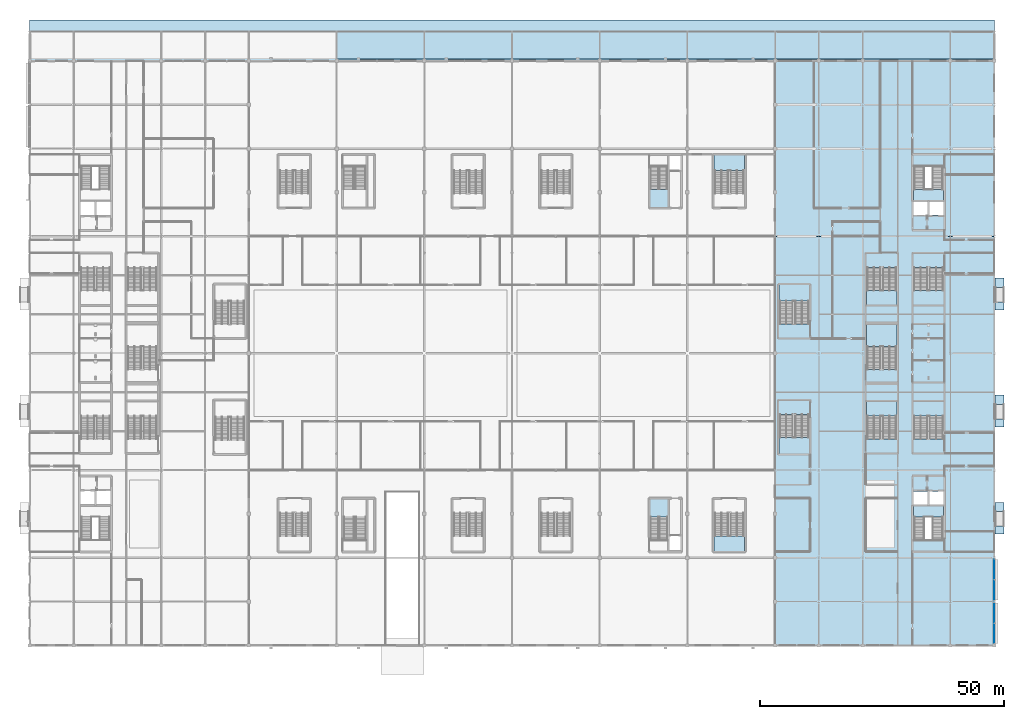
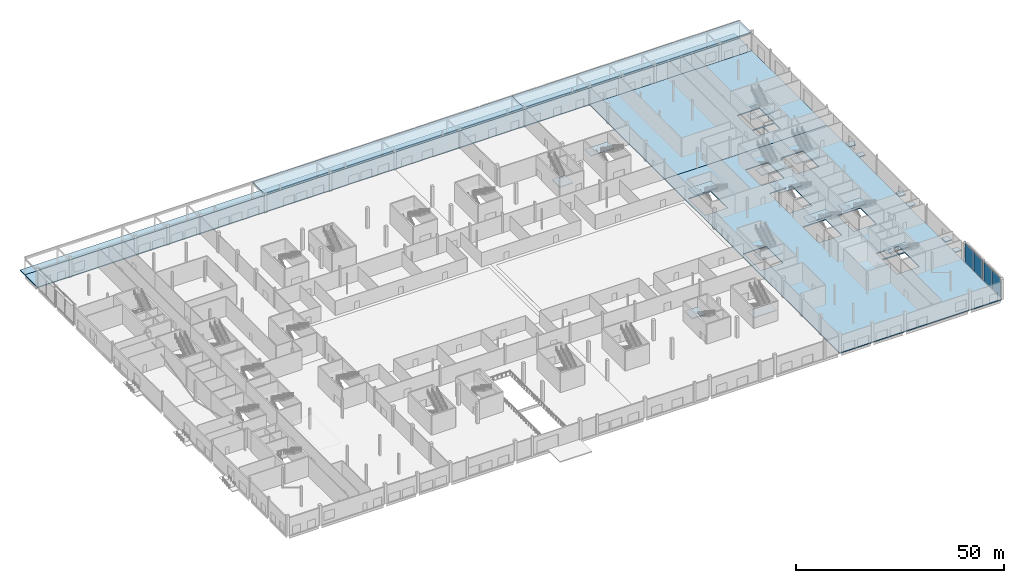
# One storey, part 28 of 84: 25 slabs, 4 plates, 18 elements without a shape of their own.
"""IFC4 building model written with IfcOpenShell, lengths in metres."""

from ifc_helpers import new_model, si_unit, direction, frame, origin, origin_2d, place, context, subcontext, project, spatial, polyline, rectangle, outline, extrude, material, layer, layer_set, type_object, element, aggregate, save


model = new_model("IFC4")

# Units and contexts
model_context = context("Model", 3, precision=1e-05, world=origin(), true_north=direction((0.0, 1.0)))
body_context = subcontext(model_context, "Body", "Model", "MODEL_VIEW")
ifc_project = project(units=[si_unit("LENGTHUNIT", "METRE"), si_unit("AREAUNIT", "SQUARE_METRE"), si_unit("VOLUMEUNIT", "CUBIC_METRE"), si_unit("PLANEANGLEUNIT", "RADIAN"), si_unit("MASSUNIT", "GRAM", prefix="KILO")], contexts=[model_context])

# Site, building, storey
site_placement = place(None, origin())
site = spatial("IfcSite", under=ifc_project, at=site_placement, CompositionType="ELEMENT")
building_placement = place(site_placement, origin())
building = spatial("IfcBuilding", under=site, at=building_placement, Name="Kisiwana Market Hall", CompositionType="ELEMENT")
storey_placement = place(building_placement, origin())
storey = spatial("IfcBuildingStorey", under=building, at=storey_placement, Name="L00", CompositionType="ELEMENT", Elevation=0.0)

# Curtain wall, plates
ifc_material_1 = material(Name="Double-glazed solar-control low-E IGU", Category="glass")
ifc_layer_1 = layer(ifc_material_1, 0.159912109375)
ifc_layer_set_1 = layer_set([ifc_layer_1], Name="CW-FOY-W-6800")
curtain_wall_type = type_object("IfcCurtainWallType", Name="CW-FOY-W-6800", PredefinedType="USERDEFINED", material=ifc_layer_set_1)
curtain_wall_1_placement = place(storey_placement, origin())
curtain_wall_1 = element("IfcCurtainWall", 1, at=curtain_wall_1_placement, inside=storey, type_object=curtain_wall_type, Name="Unitised curtain wall CW-003 (L00)", ObjectType="UNITISED CURTAIN WALL", PredefinedType="USERDEFINED")
ifc_material_2 = material(Name="Double-glazed solar-control low-E IGU", Category="glass")
ifc_layer_2 = layer(ifc_material_2, 0.02392578125)
ifc_layer_set_2 = layer_set([ifc_layer_2], Name="PL-IGU-24")
plate_type_1 = type_object("IfcPlateType", Name="PL-IGU-24", PredefinedType="CURTAIN_PANEL", material=ifc_layer_set_2)
plate_1_placement = place(storey_placement, frame((198.0, 2.476806640625, 0.06005859375), z_axis=(0.0, 0.0, 1.0), x_axis=(0.0, 1.0, 0.0)))
plate_1 = element("IfcPlate", 2, at=plate_1_placement, type_object=plate_type_1, Name="CW-003 panel 1.1", PredefinedType="CURTAIN_PANEL", context=body_context, shape_type="SweptSolid", body=[
    extrude(rectangle(XDim=4.13330078125, YDim=0.02392578125, at=origin_2d()), origin(), (0.0, 0.0, 1.0), 5.6298828125),
])
plate_2_placement = place(storey_placement, frame((198.0, 6.670166015625, 0.06005859375), z_axis=(0.0, 0.0, 1.0), x_axis=(0.0, 1.0, 0.0)))
plate_2 = element("IfcPlate", 3, at=plate_2_placement, type_object=plate_type_1, Name="CW-003 panel 2.1", PredefinedType="CURTAIN_PANEL", context=body_context, shape_type="SweptSolid", body=[
    extrude(rectangle(XDim=4.13330078125, YDim=0.02392578125, at=origin_2d()), origin(), (0.0, 0.0, 1.0), 5.6298828125),
])
aggregate(curtain_wall_1, [plate_1, plate_2])

curtain_wall_2_placement = place(storey_placement, origin())
curtain_wall_2 = element("IfcCurtainWall", 4, at=curtain_wall_2_placement, inside=storey, type_object=curtain_wall_type, Name="Unitised curtain wall CW-004 (L00)", ObjectType="UNITISED CURTAIN WALL", PredefinedType="USERDEFINED")
ifc_material_3 = material(Name="Double-glazed acoustic laminated IGU", Category="glass")
ifc_layer_3 = layer(ifc_material_3, 0.028076171875)
ifc_layer_set_3 = layer_set([ifc_layer_3], Name="PL-IGU-28")
plate_type_2 = type_object("IfcPlateType", Name="PL-IGU-28", PredefinedType="CURTAIN_PANEL", material=ifc_layer_set_3)
plate_3_placement = place(storey_placement, frame((198.0, 11.363037109375, 0.06005859375), z_axis=(0.0, 0.0, 1.0), x_axis=(0.0, 1.0, 0.0)))
plate_3 = element("IfcPlate", 5, at=plate_3_placement, type_object=plate_type_2, Name="CW-004 panel 1.1", PredefinedType="CURTAIN_PANEL", context=body_context, shape_type="SweptSolid", body=[
    extrude(rectangle(XDim=4.19970703125, YDim=0.028076171875, at=origin_2d()), origin(), (0.0, 0.0, 1.0), 5.6298828125),
])
plate_4_placement = place(storey_placement, frame((198.0, 15.62255859375, 0.06005859375), z_axis=(0.0, 0.0, 1.0), x_axis=(0.0, 1.0, 0.0)))
plate_4 = element("IfcPlate", 6, at=plate_4_placement, type_object=plate_type_2, Name="CW-004 panel 2.1", PredefinedType="CURTAIN_PANEL", context=body_context, shape_type="SweptSolid", body=[
    extrude(rectangle(XDim=4.19970703125, YDim=0.028076171875, at=origin_2d()), origin(), (0.0, 0.0, 1.0), 5.6298828125),
])
aggregate(curtain_wall_2, [plate_3, plate_4])

# Slabs
ifc_material_4 = material(Name="Concrete C32/40", Category="concrete")
ifc_layer_4 = layer(ifc_material_4, 0.260009765625)
ifc_layer_set_4 = layer_set([ifc_layer_4], Name="SL-L00-MKT-260")
slab_type_1 = type_object("IfcSlabType", Name="SL-L00-MKT-260", PredefinedType="FLOOR", material=ifc_layer_set_4)
slab_1_placement = place(storey_placement, frame((0.0, 0.0, -0.260009765625)))
element("IfcSlab", 7, at=slab_1_placement, inside=storey, type_object=slab_type_1, Name="Structural slab S-058", PredefinedType="FLOOR", context=body_context, shape_type="SweptSolid", body=[
    extrude(outline(polyline([(153.0, 0.0), (198.0, 0.0), (198.0, 84.0), (153.0, 84.0), (153.0, 0.0)]), holes=[polyline([(181.39990234375, 21.64990234375), (187.60009765625, 21.64990234375), (187.60009765625, 28.60009765625), (181.39990234375, 28.60009765625), (181.39990234375, 21.64990234375)]), polyline([(181.39990234375, 28.919921875), (184.340087890625, 28.919921875), (184.340087890625, 31.64990234375), (181.39990234375, 31.64990234375), (181.39990234375, 28.919921875)]), polyline([(184.659912109375, 28.919921875), (187.60009765625, 28.919921875), (187.60009765625, 31.64990234375), (184.659912109375, 31.64990234375), (184.659912109375, 28.919921875)]), polyline([(181.360107421875, 42.3798828125), (187.639892578125, 42.3798828125), (187.639892578125, 50.0400390625), (181.360107421875, 50.0400390625), (181.360107421875, 42.3798828125)]), polyline([(181.360107421875, 69.9599609375), (187.639892578125, 69.9599609375), (187.639892578125, 77.6201171875), (181.360107421875, 77.6201171875), (181.360107421875, 69.9599609375)]), polyline([(171.760009765625, 42.3798828125), (178.0400390625, 42.3798828125), (178.0400390625, 50.0400390625), (171.760009765625, 50.0400390625), (171.760009765625, 42.3798828125)]), polyline([(171.760009765625, 69.9599609375), (178.0400390625, 69.9599609375), (178.0400390625, 77.6201171875), (171.760009765625, 77.6201171875), (171.760009765625, 69.9599609375)]), polyline([(153.7900390625, 39.360107421875), (160.070068359375, 39.360107421875), (160.070068359375, 47.419921875), (153.7900390625, 47.419921875), (153.7900390625, 39.360107421875)]), polyline([(153.7900390625, 65.97998046875), (160.070068359375, 65.97998046875), (160.070068359375, 74.0400390625), (153.7900390625, 74.0400390625), (153.7900390625, 65.97998046875)]), polyline([(171.760009765625, 56.659912109375), (178.0400390625, 56.659912109375), (178.0400390625, 66.159912109375), (171.760009765625, 66.159912109375), (171.760009765625, 56.659912109375)])]), origin(), (0.0, 0.0, 1.0), 0.260009765625),
])
ifc_material_5 = material(Name="Concrete C32/40", Category="concrete")
ifc_layer_5 = layer(ifc_material_5, 0.300048828125)
ifc_layer_set_5 = layer_set([ifc_layer_5], Name="SL-L00-SYD-300")
slab_type_2 = type_object("IfcSlabType", Name="SL-L00-SYD-300", PredefinedType="FLOOR", material=ifc_layer_set_5)
slab_2_placement = place(storey_placement, frame((0.0, 0.0, -0.300048828125)))
element("IfcSlab", 8, at=slab_2_placement, inside=storey, type_object=slab_type_2, Name="Structural slab S-059", PredefinedType="FLOOR", context=body_context, shape_type="SweptSolid", body=[
    extrude(outline(polyline([(153.0, 84.0), (198.0, 84.0), (198.0, 120.0), (153.0, 120.0), (153.0, 84.0)]), holes=[polyline([(181.39990234375, 91.39990234375), (187.60009765625, 91.39990234375), (187.60009765625, 98.35009765625), (181.39990234375, 98.35009765625), (181.39990234375, 91.39990234375)]), polyline([(181.39990234375, 88.35009765625), (184.340087890625, 88.35009765625), (184.340087890625, 91.080078125), (181.39990234375, 91.080078125), (181.39990234375, 88.35009765625)]), polyline([(184.659912109375, 88.35009765625), (187.60009765625, 88.35009765625), (187.60009765625, 91.080078125), (184.659912109375, 91.080078125), (184.659912109375, 88.35009765625)])]), origin(), (0.0, 0.0, 1.0), 0.300048828125),
])
slab_3_placement = place(storey_placement, frame((0.0, 0.0, -0.300048828125)))
element("IfcSlab", 9, at=slab_3_placement, inside=storey, type_object=slab_type_2, Name="North Avenue Colonnade Street Sidewalk Apron S-052", PredefinedType="BASESLAB", context=body_context, shape_type="SweptSolid", body=[
    extrude(outline(polyline([(0.0, 126.0), (198.0, 126.0), (198.0, 128.39990234375), (0.0, 128.39990234375), (0.0, 126.0)])), origin(), (0.0, 0.0, 1.0), 0.300048828125),
])

# Ramp, slabs
ifc_material_6 = material(Name="Concrete C32/40", Category="concrete")
ramp_type = type_object("IfcRampType", Name="RMP-PED-12", PredefinedType="STRAIGHT_RUN_RAMP", material=ifc_material_6)
ramp_1_placement = place(storey_placement, origin())
ramp_1 = element("IfcRamp", 10, at=ramp_1_placement, inside=storey, type_object=ramp_type, Name="East Foyer South Ramp", PredefinedType="STRAIGHT_RUN_RAMP")
ifc_material_7 = material(Name="Concrete C32/40", Category="concrete")
ifc_layer_6 = layer(ifc_material_7, 0.239990234375)
ifc_layer_set_6 = layer_set([ifc_layer_6], Name="SL-LANDING-160")
slab_type_3 = type_object("IfcSlabType", Name="SL-LANDING-160", PredefinedType="LANDING", material=ifc_layer_set_6)
slab_4_placement = place(storey_placement, frame((0.0, 0.0, -0.5)))
slab_4 = element("IfcSlab", 11, at=slab_4_placement, type_object=slab_type_3, Name="East Foyer South Ramp lower landing S-040", PredefinedType="LANDING", context=body_context, shape_type="SweptSolid", body=[
    extrude(outline(polyline([(198.199951171875, 22.89990234375), (200.0, 22.89990234375), (200.0, 24.5), (198.199951171875, 24.5), (198.199951171875, 22.89990234375)])), origin(), (0.0, 0.0, 1.0), 0.25),
])
slab_5_placement = place(storey_placement, frame((0.0, 0.0, -0.25)))
slab_5 = element("IfcSlab", 12, at=slab_5_placement, type_object=slab_type_3, Name="East Foyer South Ramp upper landing S-041", PredefinedType="LANDING", context=body_context, shape_type="SweptSolid", body=[
    extrude(outline(polyline([(198.199951171875, 27.5), (200.0, 27.5), (200.0, 29.39990234375), (198.199951171875, 29.39990234375), (198.199951171875, 27.5)])), origin(), (0.0, 0.0, 1.0), 0.25),
])
aggregate(ramp_1, [slab_4, slab_5])

ramp_2_placement = place(storey_placement, origin())
ramp_2 = element("IfcRamp", 13, at=ramp_2_placement, inside=storey, type_object=ramp_type, Name="East Foyer Central Ramp", PredefinedType="STRAIGHT_RUN_RAMP")
slab_6_placement = place(storey_placement, frame((0.0, 0.0, -0.5)))
slab_6 = element("IfcSlab", 14, at=slab_6_placement, type_object=slab_type_3, Name="East Foyer Central Ramp lower landing S-042", PredefinedType="LANDING", context=body_context, shape_type="SweptSolid", body=[
    extrude(outline(polyline([(198.199951171875, 44.89990234375), (200.0, 44.89990234375), (200.0, 46.5), (198.199951171875, 46.5), (198.199951171875, 44.89990234375)])), origin(), (0.0, 0.0, 1.0), 0.25),
])
slab_7_placement = place(storey_placement, frame((0.0, 0.0, -0.25)))
slab_7 = element("IfcSlab", 15, at=slab_7_placement, type_object=slab_type_3, Name="East Foyer Central Ramp upper landing S-043", PredefinedType="LANDING", context=body_context, shape_type="SweptSolid", body=[
    extrude(outline(polyline([(198.199951171875, 49.5), (200.0, 49.5), (200.0, 51.39990234375), (198.199951171875, 51.39990234375), (198.199951171875, 49.5)])), origin(), (0.0, 0.0, 1.0), 0.25),
])
aggregate(ramp_2, [slab_6, slab_7])

ramp_3_placement = place(storey_placement, origin())
ramp_3 = element("IfcRamp", 16, at=ramp_3_placement, inside=storey, type_object=ramp_type, Name="East Foyer North Ramp", PredefinedType="STRAIGHT_RUN_RAMP")
slab_8_placement = place(storey_placement, frame((0.0, 0.0, -0.5)))
slab_8 = element("IfcSlab", 17, at=slab_8_placement, type_object=slab_type_3, Name="East Foyer North Ramp lower landing S-044", PredefinedType="LANDING", context=body_context, shape_type="SweptSolid", body=[
    extrude(outline(polyline([(198.199951171875, 68.89990234375), (200.0, 68.89990234375), (200.0, 70.5), (198.199951171875, 70.5), (198.199951171875, 68.89990234375)])), origin(), (0.0, 0.0, 1.0), 0.25),
])
slab_9_placement = place(storey_placement, frame((0.0, 0.0, -0.25)))
slab_9 = element("IfcSlab", 18, at=slab_9_placement, type_object=slab_type_3, Name="East Foyer North Ramp upper landing S-045", PredefinedType="LANDING", context=body_context, shape_type="SweptSolid", body=[
    extrude(outline(polyline([(198.199951171875, 73.5), (200.0, 73.5), (200.0, 75.39990234375), (198.199951171875, 75.39990234375), (198.199951171875, 73.5)])), origin(), (0.0, 0.0, 1.0), 0.25),
])
aggregate(ramp_3, [slab_8, slab_9])

# Stair, slab
ifc_material_8 = material(Name="Concrete C32/40", Category="concrete")
stair_type_1 = type_object("IfcStairType", Name="ST-POD-6000", PredefinedType="TWO_STRAIGHT_RUN_STAIR", material=ifc_material_8)
stair_1_placement = place(storey_placement, origin())
stair_1 = element("IfcStair", 19, at=stair_1_placement, inside=storey, type_object=stair_type_1, Name="Escape stair ST-E2-L00", PredefinedType="TWO_STRAIGHT_RUN_STAIR")
slab_10_placement = place(storey_placement, frame((0.0, 0.0, 2.760009765625)))
slab_10 = element("IfcSlab", 20, at=slab_10_placement, type_object=slab_type_3, Name="ST-E2-L00 landing 1 S-062", PredefinedType="LANDING", context=body_context, shape_type="SweptSolid", body=[
    extrude(outline(polyline([(181.3798828125, 26.408935546875), (187.6201171875, 26.408935546875), (187.6201171875, 28.6201171875), (181.3798828125, 28.6201171875), (181.3798828125, 26.408935546875)])), origin(), (0.0, 0.0, 1.0), 0.239990234375),
])
aggregate(stair_1, [slab_10])

stair_2_placement = place(storey_placement, origin())
stair_2 = element("IfcStair", 21, at=stair_2_placement, inside=storey, type_object=stair_type_1, Name="Escape stair ST-E1-L00", PredefinedType="TWO_STRAIGHT_RUN_STAIR")
slab_11_placement = place(storey_placement, frame((0.0, 0.0, 2.760009765625)))
slab_11 = element("IfcSlab", 22, at=slab_11_placement, type_object=slab_type_3, Name="ST-E1-L00 landing 1 S-060", PredefinedType="LANDING", context=body_context, shape_type="SweptSolid", body=[
    extrude(outline(polyline([(181.3798828125, 91.3798828125), (187.6201171875, 91.3798828125), (187.6201171875, 93.591064453125), (181.3798828125, 93.591064453125), (181.3798828125, 91.3798828125)])), origin(), (0.0, 0.0, 1.0), 0.239990234375),
])
aggregate(stair_2, [slab_11])

stair_3_placement = place(storey_placement, origin())
stair_3 = element("IfcStair", 23, at=stair_3_placement, inside=storey, type_object=stair_type_1, Name="Escape stair ST-S2-L00", PredefinedType="TWO_STRAIGHT_RUN_STAIR")
slab_12_placement = place(storey_placement, frame((0.0, 0.0, 2.760009765625)))
slab_12 = element("IfcSlab", 24, at=slab_12_placement, type_object=slab_type_3, Name="ST-S2-L00 landing 1 S-076", PredefinedType="LANDING", context=body_context, shape_type="SweptSolid", body=[
    extrude(outline(polyline([(127.360107421875, 26.388916015625), (131.0, 26.388916015625), (131.0, 30.0400390625), (127.360107421875, 30.0400390625), (127.360107421875, 26.388916015625)])), origin(), (0.0, 0.0, 1.0), 0.239990234375),
])
aggregate(stair_3, [slab_12])

stair_4_placement = place(storey_placement, origin())
stair_4 = element("IfcStair", 25, at=stair_4_placement, inside=storey, type_object=stair_type_1, Name="Escape stair ST-N2-L00", PredefinedType="TWO_STRAIGHT_RUN_STAIR")
slab_13_placement = place(storey_placement, frame((0.0, 0.0, 2.760009765625)))
slab_13 = element("IfcSlab", 26, at=slab_13_placement, type_object=slab_type_3, Name="ST-N2-L00 landing 1 S-070", PredefinedType="LANDING", context=body_context, shape_type="SweptSolid", body=[
    extrude(outline(polyline([(127.340087890625, 89.93994140625), (130.97998046875, 89.93994140625), (130.97998046875, 93.631103515625), (127.340087890625, 93.631103515625), (127.340087890625, 89.93994140625)])), origin(), (0.0, 0.0, 1.0), 0.239990234375),
])
aggregate(stair_4, [slab_13])

ifc_material_9 = material(Name="Concrete C32/40", Category="concrete")
stair_type_2 = type_object("IfcStairType", Name="ST-ESC-6000", PredefinedType="TWO_STRAIGHT_RUN_STAIR", material=ifc_material_9)
stair_5_placement = place(storey_placement, origin())
stair_5 = element("IfcStair", 27, at=stair_5_placement, inside=storey, type_object=stair_type_2, Name="Escape stair ST-E3-L00", PredefinedType="TWO_STRAIGHT_RUN_STAIR")
slab_14_placement = place(storey_placement, frame((0.0, 0.0, 2.760009765625)))
slab_14 = element("IfcSlab", 28, at=slab_14_placement, type_object=slab_type_3, Name="ST-E3-L00 landing 1 S-063", PredefinedType="LANDING", context=body_context, shape_type="SweptSolid", body=[
    extrude(outline(polyline([(181.340087890625, 47.119384765625), (187.659912109375, 47.119384765625), (187.659912109375, 50.06005859375), (181.340087890625, 50.06005859375), (181.340087890625, 47.119384765625)])), origin(), (0.0, 0.0, 1.0), 0.239990234375),
])
aggregate(stair_5, [slab_14])

stair_6_placement = place(storey_placement, origin())
stair_6 = element("IfcStair", 29, at=stair_6_placement, inside=storey, type_object=stair_type_2, Name="Escape stair ST-E4-L00", PredefinedType="TWO_STRAIGHT_RUN_STAIR")
slab_15_placement = place(storey_placement, frame((0.0, 0.0, 2.760009765625)))
slab_15 = element("IfcSlab", 30, at=slab_15_placement, type_object=slab_type_3, Name="ST-E4-L00 landing 1 S-064", PredefinedType="LANDING", context=body_context, shape_type="SweptSolid", body=[
    extrude(outline(polyline([(181.340087890625, 69.93994140625), (187.659912109375, 69.93994140625), (187.659912109375, 72.880615234375), (181.340087890625, 72.880615234375), (181.340087890625, 69.93994140625)])), origin(), (0.0, 0.0, 1.0), 0.239990234375),
])
aggregate(stair_6, [slab_15])

stair_7_placement = place(storey_placement, origin())
stair_7 = element("IfcStair", 31, at=stair_7_placement, inside=storey, type_object=stair_type_2, Name="Escape stair ST-E7-L00", PredefinedType="TWO_STRAIGHT_RUN_STAIR")
slab_16_placement = place(storey_placement, frame((0.0, 0.0, 2.760009765625)))
slab_16 = element("IfcSlab", 32, at=slab_16_placement, type_object=slab_type_3, Name="ST-E7-L00 landing 1 S-066", PredefinedType="LANDING", context=body_context, shape_type="SweptSolid", body=[
    extrude(outline(polyline([(171.739990234375, 47.119384765625), (178.06005859375, 47.119384765625), (178.06005859375, 50.06005859375), (171.739990234375, 50.06005859375), (171.739990234375, 47.119384765625)])), origin(), (0.0, 0.0, 1.0), 0.239990234375),
])
aggregate(stair_7, [slab_16])

stair_8_placement = place(storey_placement, origin())
stair_8 = element("IfcStair", 33, at=stair_8_placement, inside=storey, type_object=stair_type_2, Name="Escape stair ST-E8-L00", PredefinedType="TWO_STRAIGHT_RUN_STAIR")
slab_17_placement = place(storey_placement, frame((0.0, 0.0, 2.760009765625)))
slab_17 = element("IfcSlab", 34, at=slab_17_placement, type_object=slab_type_3, Name="ST-E8-L00 landing 1 S-067", PredefinedType="LANDING", context=body_context, shape_type="SweptSolid", body=[
    extrude(outline(polyline([(171.739990234375, 69.93994140625), (178.06005859375, 69.93994140625), (178.06005859375, 72.880615234375), (171.739990234375, 72.880615234375), (171.739990234375, 69.93994140625)])), origin(), (0.0, 0.0, 1.0), 0.239990234375),
])
aggregate(stair_8, [slab_17])

stair_9_placement = place(storey_placement, origin())
stair_9 = element("IfcStair", 35, at=stair_9_placement, inside=storey, type_object=stair_type_2, Name="Escape stair ST-E9-L00", PredefinedType="TWO_STRAIGHT_RUN_STAIR")
slab_18_placement = place(storey_placement, frame((0.0, 0.0, 2.760009765625)))
slab_18 = element("IfcSlab", 36, at=slab_18_placement, type_object=slab_type_3, Name="ST-E9-L00 landing 1 S-068", PredefinedType="LANDING", context=body_context, shape_type="SweptSolid", body=[
    extrude(outline(polyline([(153.77001953125, 39.340087890625), (160.090087890625, 39.340087890625), (160.090087890625, 42.680419921875), (153.77001953125, 42.680419921875), (153.77001953125, 39.340087890625)])), origin(), (0.0, 0.0, 1.0), 0.239990234375),
])
aggregate(stair_9, [slab_18])

stair_10_placement = place(storey_placement, origin())
stair_10 = element("IfcStair", 37, at=stair_10_placement, inside=storey, type_object=stair_type_2, Name="Escape stair ST-E10-L00", PredefinedType="TWO_STRAIGHT_RUN_STAIR")
slab_19_placement = place(storey_placement, frame((0.0, 0.0, 2.760009765625)))
slab_19 = element("IfcSlab", 38, at=slab_19_placement, type_object=slab_type_3, Name="ST-E10-L00 landing 1 S-061", PredefinedType="LANDING", context=body_context, shape_type="SweptSolid", body=[
    extrude(outline(polyline([(153.77001953125, 70.719482421875), (160.090087890625, 70.719482421875), (160.090087890625, 74.06005859375), (153.77001953125, 74.06005859375), (153.77001953125, 70.719482421875)])), origin(), (0.0, 0.0, 1.0), 0.239990234375),
])
aggregate(stair_10, [slab_19])

stair_11_placement = place(storey_placement, origin())
stair_11 = element("IfcStair", 39, at=stair_11_placement, inside=storey, type_object=stair_type_2, Name="Escape stair ST-E5-L00", PredefinedType="TWO_STRAIGHT_RUN_STAIR")
slab_20_placement = place(storey_placement, frame((0.0, 0.0, 2.760009765625)))
slab_20 = element("IfcSlab", 40, at=slab_20_placement, type_object=slab_type_3, Name="ST-E5-L00 landing 1 S-065", PredefinedType="LANDING", context=body_context, shape_type="SweptSolid", body=[
    extrude(outline(polyline([(171.739990234375, 61.3994140625), (178.06005859375, 61.3994140625), (178.06005859375, 66.179931640625), (171.739990234375, 66.179931640625), (171.739990234375, 61.3994140625)])), origin(), (0.0, 0.0, 1.0), 0.239990234375),
])
aggregate(stair_11, [slab_20])

stair_12_placement = place(storey_placement, origin())
stair_12 = element("IfcStair", 41, at=stair_12_placement, inside=storey, type_object=stair_type_2, Name="Escape stair ST-S6-L00", PredefinedType="TWO_STRAIGHT_RUN_STAIR")
slab_21_placement = place(storey_placement, frame((0.0, 0.0, 2.760009765625)))
slab_21 = element("IfcSlab", 42, at=slab_21_placement, type_object=slab_type_3, Name="ST-S6-L00 landing 1 S-080", PredefinedType="LANDING", context=body_context, shape_type="SweptSolid", body=[
    extrude(outline(polyline([(140.43994140625, 19.340087890625), (146.760009765625, 19.340087890625), (146.760009765625, 22.48046875), (140.43994140625, 22.48046875), (140.43994140625, 19.340087890625)])), origin(), (0.0, 0.0, 1.0), 0.239990234375),
])
aggregate(stair_12, [slab_21])

stair_13_placement = place(storey_placement, origin())
stair_13 = element("IfcStair", 43, at=stair_13_placement, inside=storey, type_object=stair_type_2, Name="Escape stair ST-N6-L00", PredefinedType="TWO_STRAIGHT_RUN_STAIR")
slab_22_placement = place(storey_placement, frame((0.0, 0.0, 2.760009765625)))
slab_22 = element("IfcSlab", 44, at=slab_22_placement, type_object=slab_type_3, Name="ST-N6-L00 landing 1 S-074", PredefinedType="LANDING", context=body_context, shape_type="SweptSolid", body=[
    extrude(outline(polyline([(140.43994140625, 97.51953125), (146.760009765625, 97.51953125), (146.760009765625, 100.659912109375), (140.43994140625, 100.659912109375), (140.43994140625, 97.51953125)])), origin(), (0.0, 0.0, 1.0), 0.239990234375),
])
aggregate(stair_13, [slab_22])

# Slabs
ifc_material_10 = material(Name="Concrete C32/40", Category="concrete")
ifc_layer_7 = layer(ifc_material_10, 0.2919921875)
ifc_layer_set_7 = layer_set([ifc_layer_7], Name="SL-POD-ROOF-210")
slab_type_4 = type_object("IfcSlabType", Name="SL-POD-ROOF-210", PredefinedType="ROOF", material=ifc_layer_set_7)
slab_23_placement = place(storey_placement, frame((0.0, 0.0, 4.907958984375)))
element("IfcSlab", 45, at=slab_23_placement, inside=storey, type_object=slab_type_4, Name="North Avenue colonnade canopy slab 2 S-038", PredefinedType="ROOF", context=body_context, shape_type="SweptSolid", body=[
    extrude(outline(polyline([(63.0, 120.35009765625), (135.0, 120.35009765625), (135.0, 126.0), (63.0, 126.0), (63.0, 120.35009765625)])), origin(), (0.0, 0.0, 1.0), 0.2919921875),
])
slab_24_placement = place(storey_placement, frame((0.0, 0.0, 4.907958984375)))
element("IfcSlab", 46, at=slab_24_placement, inside=storey, type_object=slab_type_4, Name="North Avenue colonnade canopy slab 3 S-039", PredefinedType="ROOF", context=body_context, shape_type="SweptSolid", body=[
    extrude(outline(polyline([(135.0, 120.35009765625), (198.0, 120.35009765625), (198.0, 126.0), (135.0, 126.0), (135.0, 120.35009765625)])), origin(), (0.0, 0.0, 1.0), 0.2919921875),
])
ifc_material_11 = material(Name="Concrete C32/40", Category="concrete")
ifc_layer_8 = layer(ifc_material_11, 0.258056640625)
ifc_layer_set_8 = layer_set([ifc_layer_8], Name="SL-TERR-240")
slab_type_5 = type_object("IfcSlabType", Name="SL-TERR-240", PredefinedType="FLOOR", material=ifc_layer_set_8)
slab_25_placement = place(storey_placement, frame((0.0, 0.0, -0.258056640625)))
element("IfcSlab", 47, at=slab_25_placement, inside=storey, type_object=slab_type_5, Name="Exterior terrace slab S-090", PredefinedType="FLOOR", context=body_context, shape_type="SweptSolid", body=[
    extrude(outline(polyline([(0.0, 120.0), (198.0, 120.0), (198.0, 126.0), (0.0, 126.0), (0.0, 120.0)])), origin(), (0.0, 0.0, 1.0), 0.258056640625),
])

save(model, "model.ifc")
